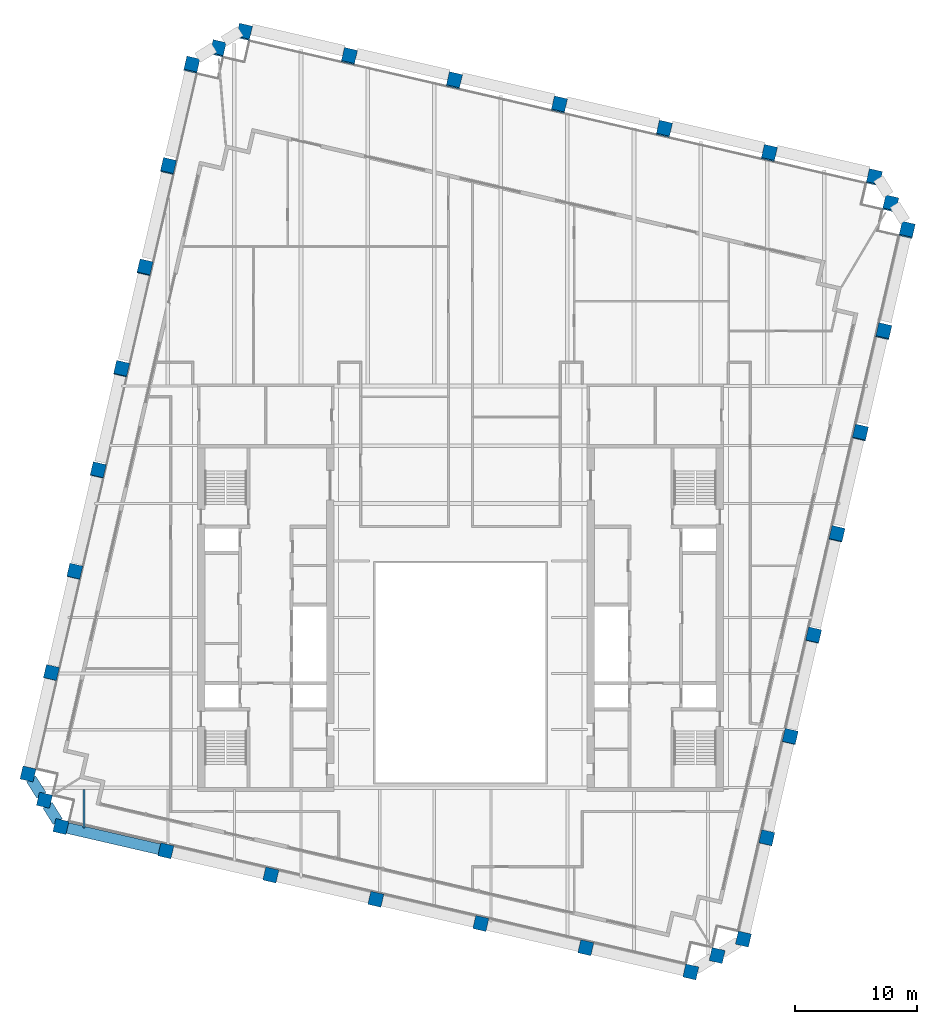
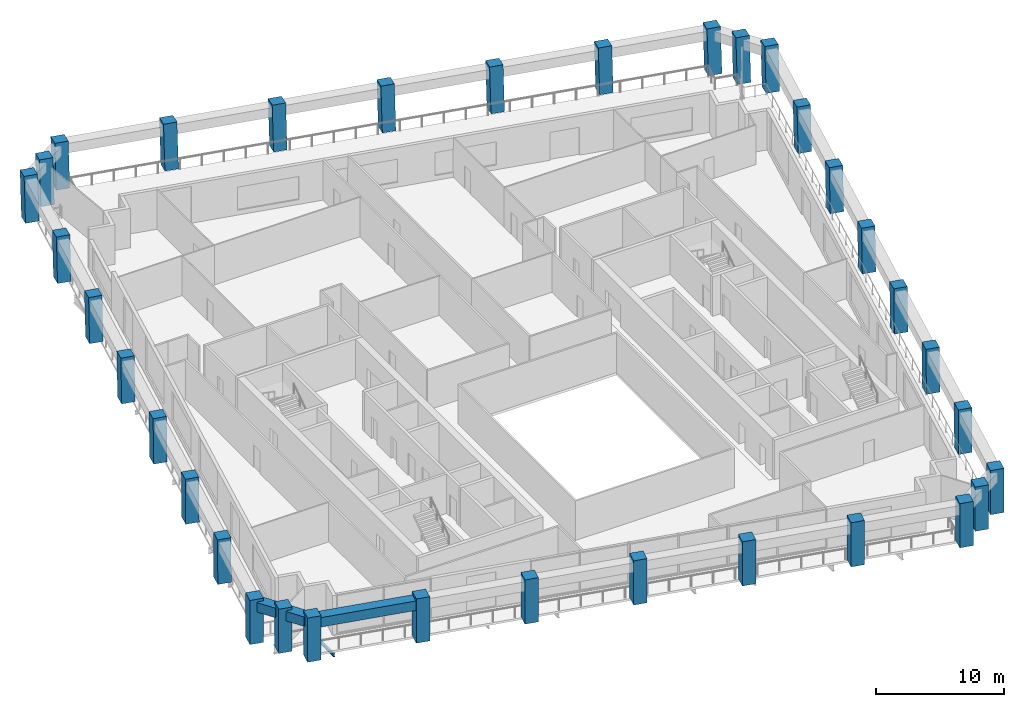
# One storey, part 1 of 11: 34 columns, 4 beams.
"""IFC4 building model written with IfcOpenShell, lengths in metres."""

from ifc_helpers import new_model, si_unit, direction, frame, origin, origin_2d, place, context, subcontext, project, spatial, rectangle, i_section, extrude, material, material_profile, profile_set, type_object, element, save


model = new_model("IFC4")

# Units and contexts
model_context = context("Model", 3, precision=1e-05, world=origin(), true_north=direction((0.0, 1.0)))
body_context = subcontext(model_context, "Body", "Model", "MODEL_VIEW")
ifc_project = project(units=[si_unit("LENGTHUNIT", "METRE"), si_unit("AREAUNIT", "SQUARE_METRE"), si_unit("VOLUMEUNIT", "CUBIC_METRE"), si_unit("PLANEANGLEUNIT", "RADIAN"), si_unit("MASSUNIT", "GRAM", prefix="KILO")], contexts=[model_context])

# Site, building, storey
site_placement = place(None, origin())
site = spatial("IfcSite", under=ifc_project, at=site_placement, CompositionType="ELEMENT")
building_placement = place(site_placement, origin())
building = spatial("IfcBuilding", under=site, at=building_placement, Name="Ogive Exchange Tower", CompositionType="ELEMENT")
storey_placement = place(building_placement, frame((0.0, 0.0, 293.39990234375)))
storey = spatial("IfcBuildingStorey", under=building, at=storey_placement, Name="L64", CompositionType="ELEMENT", Elevation=293.39990234375)

# Columns
ifc_material_1 = material(Name="Precast concrete C70/85 (limestone faced)", Category="masonry")
ifc_material_profile_1 = material_profile(ifc_material_1, rectangle(XDim=1.10009765625, YDim=1.10009765625, at=origin_2d()), Name="1100 x 1100")
ifc_profile_set_1 = profile_set([ifc_material_profile_1], Name="Precast concrete C70/85 (limestone faced)")
column_type = type_object("IfcColumnType", Name="Precast exoskeleton leg 1100 x 1100 C70/85", PredefinedType="COLUMN", material=ifc_profile_set_1)
for number, where, z_axis, x_axis, name in (
    (1, (-32.820556640625, -5.635498046875, 0.0), (0.0, 0.0, 1.0), (0.974370064785, -0.224951054344, 0.0), "Exoskeleton leg 1"),
    (2, (-24.197265625, -7.62646484375, 0.0), (0.0, 0.0, 1.0), (0.974370064785, -0.224951054344, 0.0), "Exoskeleton leg 2"),
    (3, (-15.57421875, -9.6171875, 0.0), (0.0, 0.0, 1.0), (0.974370064785, -0.224951054344, 0.0), "Exoskeleton leg 3"),
    (4, (-6.950927734375, -11.60791015625, 0.0), (0.0, 0.0, 1.0), (0.974370064785, -0.224951054344, 0.0), "Exoskeleton leg 4"),
    (5, (1.672119140625, -13.598876953125, 0.0), (0.0, 0.0, 1.0), (0.974370064785, -0.224951054344, 0.0), "Exoskeleton leg 5"),
    (6, (10.29541015625, -15.589599609375, 0.0), (0.0, 0.0, 1.0), (0.974370064785, -0.224951054344, 0.0), "Exoskeleton leg 6"),
    (7, (18.91845703125, -17.58056640625, 0.0), (0.0, 0.0, 1.0), (0.974370064785, -0.224951054344, 0.0), "Exoskeleton leg 7"),
    (8, (23.236083984375, -14.882568359375, 0.0), (0.0, 0.0, 1.0), (0.974370064785, -0.224951054344, 0.0), "Exoskeleton leg 8"),
):
    element("IfcColumn", number, at=place(storey_placement, frame(where, z_axis=z_axis, x_axis=x_axis)), inside=storey, type_object=column_type, Name=name, PredefinedType="COLUMN", context=body_context, shape_type="SweptSolid", body=[
        extrude(rectangle(XDim=1.10009765625, YDim=1.10009765625, at=origin_2d()), origin(), (0.0, 0.0, 1.0), 4.2001953125),
    ])
column_1_placement = place(storey_placement, frame((25.155517578125, -6.56884765625, 0.0), z_axis=(0.00290605529, 0.012670401066, 0.99991550432), x_axis=(-0.974691740237, 0.22355315143, 0.0)))
element("IfcColumn", 9, at=column_1_placement, inside=storey, type_object=column_type, Name="Exoskeleton leg 9", PredefinedType="COLUMN", context=body_context, shape_type="SweptSolid", body=[
    extrude(rectangle(XDim=1.10009765625, YDim=1.10009765625, at=origin_2d()), origin(), (0.0, 0.0, 1.0), 4.200439453125),
])
column_2_placement = place(storey_placement, frame((27.074951171875, 1.7451171875, 0.0), z_axis=(0.005810646452, 0.025276312067, 0.999663615641), x_axis=(-0.974579651079, 0.224041299099, 0.0)))
element("IfcColumn", 10, at=column_2_placement, inside=storey, type_object=column_type, Name="Exoskeleton leg 10", PredefinedType="COLUMN", context=body_context, shape_type="SweptSolid", body=[
    extrude(rectangle(XDim=1.10009765625, YDim=1.10009765625, at=origin_2d()), origin(), (0.0, 0.0, 1.0), 4.20166015625),
])
column_3_placement = place(storey_placement, frame((28.994384765625, 10.058837890625, 0.0), z_axis=(0.008712298116, 0.0379275378, 0.999242511975), x_axis=(-0.974617095667, 0.223878352757, 0.0)))
element("IfcColumn", 11, at=column_3_placement, inside=storey, type_object=column_type, Name="Exoskeleton leg 11", PredefinedType="COLUMN", context=body_context, shape_type="SweptSolid", body=[
    extrude(rectangle(XDim=1.10009765625, YDim=1.10009765625, at=origin_2d()), origin(), (0.0, 0.0, 1.0), 4.203369140625),
])
column_4_placement = place(storey_placement, frame((30.91357421875, 18.37255859375, 0.0), z_axis=(0.011667590749, 0.050559559912, 0.998652891764), x_axis=(-0.974391195695, 0.224859506699, 0.0)))
element("IfcColumn", 12, at=column_4_placement, inside=storey, type_object=column_type, Name="Exoskeleton leg 12", PredefinedType="COLUMN", context=body_context, shape_type="SweptSolid", body=[
    extrude(rectangle(XDim=1.10009765625, YDim=1.10009765625, at=origin_2d()), origin(), (0.0, 0.0, 1.0), 4.205810546875),
])
column_5_placement = place(storey_placement, frame((32.8330078125, 26.686279296875, 0.0), z_axis=(0.014558945825, 0.063166103598, 0.997896828561), x_axis=(-0.97445148511, 0.224598092528, 0.0)))
element("IfcColumn", 13, at=column_5_placement, inside=storey, type_object=column_type, Name="Exoskeleton leg 13", PredefinedType="COLUMN", context=body_context, shape_type="SweptSolid", body=[
    extrude(rectangle(XDim=1.10009765625, YDim=1.10009765625, at=origin_2d()), origin(), (0.0, 0.0, 1.0), 4.208984375),
])
column_6_placement = place(storey_placement, frame((34.75244140625, 35.0, 0.0), z_axis=(0.017443005185, 0.075740889623, 0.996974954153), x_axis=(-0.974491627871, 0.224423856151, 0.0)))
element("IfcColumn", 14, at=column_6_placement, inside=storey, type_object=column_type, Name="Exoskeleton leg 14", PredefinedType="COLUMN", context=body_context, shape_type="SweptSolid", body=[
    extrude(rectangle(XDim=1.10009765625, YDim=1.10009765625, at=origin_2d()), origin(), (0.0, 0.0, 1.0), 4.212890625),
])
for number, where, z_axis, x_axis, name in (
    (15, (36.671875, 43.31396484375, 0.0), (0.020376422505, 0.088162759874, 0.995897649951), (-0.97431566651, 0.225186549318, 0.0), "Exoskeleton leg 15"),
    (16, (33.973876953125, 47.63134765625, 0.0), (0.02037631848, 0.088220197057, 0.99589256573), (-0.97434807649, 0.225046274885, 0.0), "Exoskeleton leg 16"),
    (17, (25.3505859375, 49.622314453125, 0.0), (0.02037631848, 0.088220197057, 0.99589256573), (-0.97434807649, 0.225046274885, 0.0), "Exoskeleton leg 17"),
    (18, (16.7275390625, 51.613037109375, 0.0), (0.02037631848, 0.088220197057, 0.99589256573), (-0.97434807649, 0.225046274885, 0.0), "Exoskeleton leg 18"),
    (19, (8.1044921875, 53.60400390625, 0.0), (0.020318558874, 0.088162863718, 0.995898822987), (-0.97445585692, 0.224579123952, 0.0), "Exoskeleton leg 19"),
    (20, (-0.518798828125, 55.5947265625, 0.0), (0.02037631848, 0.088220197057, 0.99589256573), (-0.97434807649, 0.225046274885, 0.0), "Exoskeleton leg 20"),
    (21, (-9.14208984375, 57.58544921875, 0.0), (0.02037631848, 0.088220197057, 0.99589256573), (-0.97434807649, 0.225046274885, 0.0), "Exoskeleton leg 21"),
    (22, (-17.76513671875, 59.576416015625, 0.0), (0.02037631848, 0.088220197057, 0.99589256573), (-0.97434807649, 0.225046274885, 0.0), "Exoskeleton leg 22"),
    (23, (-22.082763671875, 56.87841796875, 0.0), (0.02037631848, 0.088220197057, 0.99589256573), (-0.97434807649, 0.225046274885, 0.0), "Exoskeleton leg 23"),
):
    element("IfcColumn", number, at=place(storey_placement, frame(where, z_axis=z_axis, x_axis=x_axis)), inside=storey, type_object=column_type, Name=name, PredefinedType="COLUMN", context=body_context, shape_type="SweptSolid", body=[
        extrude(rectangle(XDim=1.10009765625, YDim=1.10009765625, at=origin_2d()), origin(), (0.0, 0.0, 1.0), 4.217529296875),
    ])
column_7_placement = place(storey_placement, frame((-24.002197265625, 48.564697265625, 0.0), z_axis=(0.017501014434, 0.075683194872, 0.996978318976), x_axis=(-0.974290512438, 0.225295355862, 0.0)))
element("IfcColumn", 24, at=column_7_placement, inside=storey, type_object=column_type, Name="Exoskeleton leg 24", PredefinedType="COLUMN", context=body_context, shape_type="SweptSolid", body=[
    extrude(rectangle(XDim=1.10009765625, YDim=1.10009765625, at=origin_2d()), origin(), (0.0, 0.0, 1.0), 4.212890625),
])
column_8_placement = place(storey_placement, frame((-25.92138671875, 40.2509765625, 0.0), z_axis=(0.014558999143, 0.063108330945, 0.997900483069), x_axis=(-0.97440628778, 0.224794097641, 0.0)))
element("IfcColumn", 25, at=column_8_placement, inside=storey, type_object=column_type, Name="Exoskeleton leg 25", PredefinedType="COLUMN", context=body_context, shape_type="SweptSolid", body=[
    extrude(rectangle(XDim=1.10009765625, YDim=1.10009765625, at=origin_2d()), origin(), (0.0, 0.0, 1.0), 4.208984375),
])
column_9_placement = place(storey_placement, frame((-27.8408203125, 31.93701171875, 0.0), z_axis=(0.011667590749, 0.050559559912, 0.998652891764), x_axis=(-0.974391195695, 0.224859506699, 0.0)))
element("IfcColumn", 26, at=column_9_placement, inside=storey, type_object=column_type, Name="Exoskeleton leg 26", PredefinedType="COLUMN", context=body_context, shape_type="SweptSolid", body=[
    extrude(rectangle(XDim=1.10009765625, YDim=1.10009765625, at=origin_2d()), origin(), (0.0, 0.0, 1.0), 4.205810546875),
])
column_10_placement = place(storey_placement, frame((-29.76025390625, 23.623291015625, 0.0), z_axis=(0.008770375651, 0.037927518544, 0.999242004646), x_axis=(-0.974290512438, 0.225295355862, 0.0)))
element("IfcColumn", 27, at=column_10_placement, inside=storey, type_object=column_type, Name="Exoskeleton leg 27", PredefinedType="COLUMN", context=body_context, shape_type="SweptSolid", body=[
    extrude(rectangle(XDim=1.10009765625, YDim=1.10009765625, at=origin_2d()), origin(), (0.0, 0.0, 1.0), 4.203369140625),
])
column_11_placement = place(storey_placement, frame((-31.6796875, 15.3095703125, 0.0), z_axis=(0.005868750925, 0.02527630349, 0.999663276431), x_axis=(-0.974088391429, 0.226167649504, 0.0)))
element("IfcColumn", 28, at=column_11_placement, inside=storey, type_object=column_type, Name="Exoskeleton leg 28", PredefinedType="COLUMN", context=body_context, shape_type="SweptSolid", body=[
    extrude(rectangle(XDim=1.10009765625, YDim=1.10009765625, at=origin_2d()), origin(), (0.0, 0.0, 1.0), 4.20166015625),
])
column_12_placement = place(storey_placement, frame((-33.59912109375, 6.995849609375, 0.0), z_axis=(0.002906057426, 0.012612289227, 0.999916238987), x_axis=(-0.974466825284, 0.224531526563, 0.0)))
element("IfcColumn", 29, at=column_12_placement, inside=storey, type_object=column_type, Name="Exoskeleton leg 29", PredefinedType="COLUMN", context=body_context, shape_type="SweptSolid", body=[
    extrude(rectangle(XDim=1.10009765625, YDim=1.10009765625, at=origin_2d()), origin(), (0.0, 0.0, 1.0), 4.200439453125),
])
for number, where, z_axis, x_axis, name in (
    (30, (-35.518310546875, -1.318115234375, 0.0), (0.0, 0.0, 1.0), (0.974370064785, -0.224951054344, 0.0), "Exoskeleton leg 30"),
    (31, (21.077392578125, -16.2314453125, 0.0), (0.0, 0.0, 1.0), (0.974370064785, -0.224951054344, 0.0), "Exoskeleton leg 31"),
):
    element("IfcColumn", number, at=place(storey_placement, frame(where, z_axis=z_axis, x_axis=x_axis)), inside=storey, type_object=column_type, Name=name, PredefinedType="COLUMN", context=body_context, shape_type="SweptSolid", body=[
        extrude(rectangle(XDim=1.10009765625, YDim=1.10009765625, at=origin_2d()), origin(), (0.0, 0.0, 1.0), 4.2001953125),
    ])
for number, where, z_axis, x_axis, name in (
    (32, (35.322998046875, 45.47265625, 0.0), (0.020318455144, 0.088220300968, 0.995893738748), (-0.974488096918, 0.224439187676, 0.0), "Exoskeleton leg 32"),
    (33, (-19.923828125, 58.227294921875, 0.0), (0.02037631848, 0.088220197057, 0.99589256573), (-0.97434807649, 0.225046274885, 0.0), "Exoskeleton leg 33"),
):
    element("IfcColumn", number, at=place(storey_placement, frame(where, z_axis=z_axis, x_axis=x_axis)), inside=storey, type_object=column_type, Name=name, PredefinedType="COLUMN", context=body_context, shape_type="SweptSolid", body=[
        extrude(rectangle(XDim=1.10009765625, YDim=1.10009765625, at=origin_2d()), origin(), (0.0, 0.0, 1.0), 4.217529296875),
    ])
column_13_placement = place(storey_placement, frame((-34.16943359375, -3.476806640625, 0.0), z_axis=(0.0, 0.0, 1.0), x_axis=(0.974370064785, -0.224951054344, 0.0)))
element("IfcColumn", 34, at=column_13_placement, inside=storey, type_object=column_type, Name="Exoskeleton leg 34", PredefinedType="COLUMN", context=body_context, shape_type="SweptSolid", body=[
    extrude(rectangle(XDim=1.10009765625, YDim=1.10009765625, at=origin_2d()), origin(), (0.0, 0.0, 1.0), 4.2001953125),
])

# Beams
ifc_material_2 = material(Name="Steel ASTM A992 Gr50", Category="steel")
ifc_material_profile_2 = material_profile(ifc_material_2, i_section(OverallWidth=0.1650390625, OverallDepth=0.31005859375, WebThickness=0.005859375, FlangeThickness=0.009765625, at=origin_2d()), Name="W310x38.7")
ifc_profile_set_2 = profile_set([ifc_material_profile_2], Name="Steel ASTM A992 Gr50")
beam_type_1 = type_object("IfcBeamType", Name="Floor beam W310x38.7", PredefinedType="JOIST", material=ifc_profile_set_2)
beam_1_placement = place(storey_placement, frame((-30.90869140625, -5.76513671875, -0.40478515625), z_axis=(0.0, 1.0, 0.0), x_axis=(-1.0, 0.0, 0.0)))
element("IfcBeam", 35, at=beam_1_placement, inside=storey, type_object=beam_type_1, Name="Floor beam", PredefinedType="JOIST", context=body_context, shape_type="SweptSolid", body=[
    extrude(i_section(OverallWidth=0.1650390625, OverallDepth=0.31005859375, WebThickness=0.005859375, FlangeThickness=0.009765625, at=origin_2d()), origin(), (0.0, 0.0, 1.0), 3.1865234375),
])
ifc_material_profile_3 = material_profile(ifc_material_1, rectangle(XDim=0.89990234375, YDim=0.89990234375, at=origin_2d()), Name="900 x 900")
ifc_profile_set_3 = profile_set([ifc_material_profile_3], Name="Precast concrete C70/85 (limestone faced)")
beam_type_2 = type_object("IfcBeamType", Name="Precast spandrel 900 x 900 C70/85", PredefinedType="SPANDREL", material=ifc_profile_set_3)
beam_2_placement = place(storey_placement, frame((-32.30419921875, -5.7548828125, 3.5), z_axis=(0.974374818602, -0.224930462307, 0.0), x_axis=(0.224930462307, 0.974374818602, 0.0)))
element("IfcBeam", 36, at=beam_2_placement, inside=storey, type_object=beam_type_2, Name="Spandrel 1", PredefinedType="SPANDREL", context=body_context, shape_type="SweptSolid", body=[
    extrude(rectangle(XDim=0.89990234375, YDim=0.89990234375, at=origin_2d()), origin(), (0.0, 0.0, 1.0), 7.7900390625),
])
for number, where, z_axis, x_axis, name in (
    (37, (-35.26513671875, -1.72314453125, 3.5), (0.529902320601, -0.848058683477, 0.0), (0.848058683477, 0.529902320601, 0.0), "Spandrel 33"),
    (38, (-33.916259765625, -3.882080078125, 3.5), (0.529902320601, -0.848058683477, 0.0), (0.848058683477, 0.529902320601, 0.0), "Spandrel 34"),
):
    element("IfcBeam", number, at=place(storey_placement, frame(where, z_axis=z_axis, x_axis=x_axis)), inside=storey, type_object=beam_type_2, Name=name, PredefinedType="SPANDREL", context=body_context, shape_type="SweptSolid", body=[
        extrude(rectangle(XDim=0.89990234375, YDim=0.89990234375, at=origin_2d()), origin(), (0.0, 0.0, 1.0), 1.590087890625),
    ])

save(model, "model.ifc")
